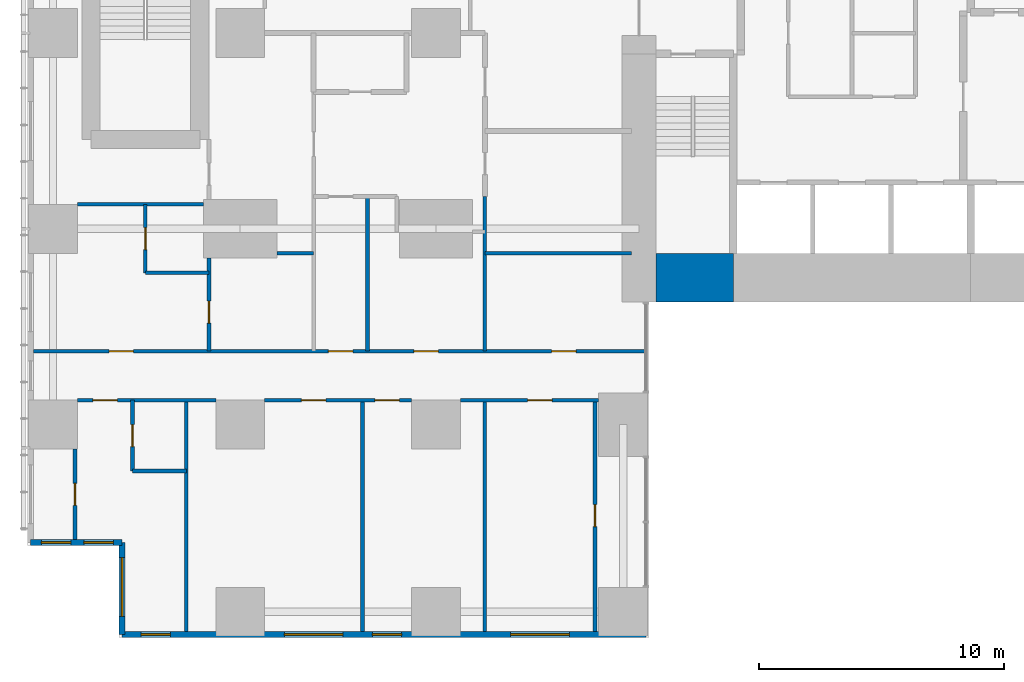
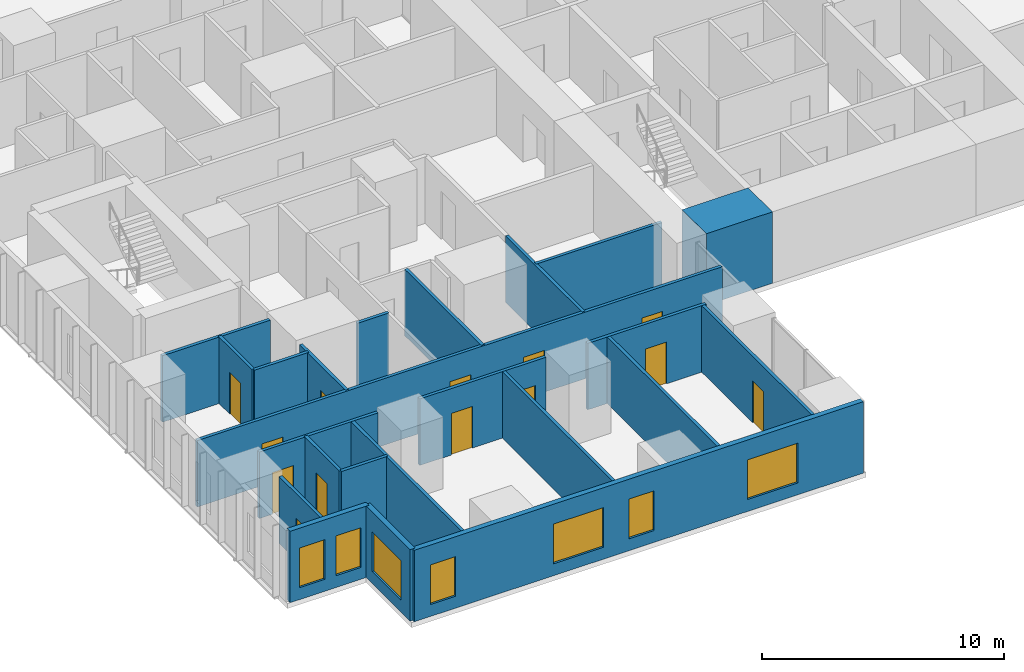
# One storey, part 12 of 20: 23 walls, 13 doors, 7 windows, 20 openings.
"""IFC4 building model written with IfcOpenShell, lengths in metres."""

from ifc_helpers import new_model, si_unit, direction, frame, frame_2d, origin, place, context, subcontext, project, spatial, rectangle, extrude, material, layer, layer_set, type_object, element, fill, save


model = new_model("IFC4")

# Units and contexts
model_context = context("Model", 3, precision=1e-05, world=origin(), true_north=direction((0.0, 1.0)))
body_context = subcontext(model_context, "Body", "Model", "MODEL_VIEW")
ifc_project = project(units=[si_unit("LENGTHUNIT", "METRE"), si_unit("AREAUNIT", "SQUARE_METRE"), si_unit("VOLUMEUNIT", "CUBIC_METRE"), si_unit("PLANEANGLEUNIT", "RADIAN"), si_unit("MASSUNIT", "GRAM", prefix="KILO")], contexts=[model_context])

# Site, building, storey
site_placement = place(None, origin())
site = spatial("IfcSite", under=ifc_project, at=site_placement, CompositionType="ELEMENT")
building_placement = place(site_placement, origin())
building = spatial("IfcBuilding", under=site, at=building_placement, Name="Cleftline Residences", CompositionType="ELEMENT")
storey_placement = place(building_placement, frame((0.0, 0.0, 72.800048828125)))
storey = spatial("IfcBuildingStorey", under=building, at=storey_placement, Name="L18", CompositionType="ELEMENT", Elevation=72.800048828125)

# Wall
ifc_material_1 = material(Name="Concrete B70", Category="concrete")
ifc_layer_1 = layer(ifc_material_1, 2.0)
ifc_layer_set_1 = layer_set([ifc_layer_1], Name="CORE WALL 2000")
wall_type_1 = type_object("IfcWallType", Name="CORE WALL 2000", PredefinedType="SHEAR", material=ifc_layer_set_1)
wall_1_placement = place(storey_placement, frame((25.0, 14.0, 0.0), z_axis=(0.0, 0.0, 1.0), x_axis=(1.0, 0.0, 0.0)))
element("IfcWall", 1, at=wall_1_placement, inside=storey, type_object=wall_type_1, Name="Core wall S1", PredefinedType="SHEAR", context=body_context, shape_type="SweptSolid", body=[
    extrude(rectangle(XDim=3.14990234375, YDim=2.0, at=frame_2d((1.574951171875, 0.0))), origin(), (0.0, 0.0, 1.0), 3.599853515625),
])

# Wall, openings, windows
ifc_material_2 = material(Name="Rendered reinforced concrete blockwork", Category="masonry")
ifc_layer_2 = layer(ifc_material_2, 0.25)
ifc_layer_set_2 = layer_set([ifc_layer_2], Name="EXTERNAL WALL 250")
wall_type_2 = type_object("IfcWallType", Name="EXTERNAL WALL 250", PredefinedType="SOLIDWALL", material=ifc_layer_set_2)
wall_2_placement = place(storey_placement, frame((-0.574951171875, 3.175048828125, 0.0), z_axis=(0.0, 0.0, 1.0), x_axis=(1.0, 0.0, 0.0)))
wall_2 = element("IfcWall", 2, at=wall_2_placement, inside=storey, type_object=wall_type_2, Name="External wall", PredefinedType="SOLIDWALL", context=body_context, shape_type="SweptSolid", body=[
    extrude(rectangle(XDim=3.75, YDim=0.25, at=frame_2d((1.875, 0.0))), origin(), (0.0, 0.0, 1.0), 3.599853515625),
])
opening_1_placement = place(wall_2_placement, frame((0.449951171875, 0.0, 0.60009765625)))
opening_1 = element("IfcOpeningElement", 3, at=opening_1_placement, cuts=wall_2, Name="Opening W8", PredefinedType="OPENING", context=body_context, shape_type="SweptSolid", body=[
    extrude(rectangle(XDim=1.199951171875, YDim=2.0, at=frame_2d((0.60009765625, 1.0))), frame((0.0, 0.135009765625, 0.0), z_axis=(0.0, -1.0, 0.0), x_axis=(1.0, 0.0, 0.0)), (0.0, 0.0, 1.0), 0.27001953125),
])
opening_2_placement = place(wall_2_placement, frame((2.1875, 0.0, 0.60009765625)))
opening_2 = element("IfcOpeningElement", 4, at=opening_2_placement, cuts=wall_2, Name="Opening W8", PredefinedType="OPENING", context=body_context, shape_type="SweptSolid", body=[
    extrude(rectangle(XDim=1.199951171875, YDim=2.0, at=frame_2d((0.60009765625, 1.0))), frame((0.0, 0.135009765625, 0.0), z_axis=(0.0, -1.0, 0.0), x_axis=(1.0, 0.0, 0.0)), (0.0, 0.0, 1.0), 0.27001953125),
])
ifc_material_3 = material(Name="Aluminium frame, clear double glazing", Category="aluminium")
window_type_1 = type_object("IfcWindowType", Name="WINDOW 1200X2000", PartitioningType="DOUBLE_PANEL_VERTICAL", PredefinedType="WINDOW", material=ifc_material_3)
window_1_placement = place(opening_1_placement, origin())
window_1 = element("IfcWindow", 5, at=window_1_placement, inside=storey, type_object=window_type_1, Name="Window", OverallHeight=2.0, OverallWidth=1.199951171875, PartitioningType="SINGLE_PANEL", PredefinedType="WINDOW", context=body_context, shape_type="SweptSolid", body=[
    extrude(rectangle(XDim=1.199951171875, YDim=2.0, at=frame_2d((0.60009765625, 1.0))), frame((0.0, 0.030029296875, 0.0), z_axis=(0.0, -1.0, 0.0), x_axis=(1.0, 0.0, 0.0)), (0.0, 0.0, 1.0), 0.06005859375),
])
fill(opening_1, window_1)
window_2_placement = place(opening_2_placement, origin())
window_2 = element("IfcWindow", 6, at=window_2_placement, inside=storey, type_object=window_type_1, Name="Window", OverallHeight=2.0, OverallWidth=1.199951171875, PartitioningType="SINGLE_PANEL", PredefinedType="WINDOW", context=body_context, shape_type="SweptSolid", body=[
    extrude(rectangle(XDim=1.199951171875, YDim=2.0, at=frame_2d((0.60009765625, 1.0))), frame((0.0, 0.030029296875, 0.0), z_axis=(0.0, -1.0, 0.0), x_axis=(1.0, 0.0, 0.0)), (0.0, 0.0, 1.0), 0.06005859375),
])
fill(opening_2, window_2)

# Wall, opening, window
wall_3_placement = place(storey_placement, frame((3.175048828125, 3.175048828125, 0.0), z_axis=(0.0, 0.0, 1.0), x_axis=(0.0, -1.0, 0.0)))
wall_3 = element("IfcWall", 7, at=wall_3_placement, inside=storey, type_object=wall_type_2, Name="External wall", PredefinedType="SOLIDWALL", context=body_context, shape_type="SweptSolid", body=[
    extrude(rectangle(XDim=3.75, YDim=0.25, at=frame_2d((1.875, 0.0))), origin(), (0.0, 0.0, 1.0), 3.599853515625),
])
opening_3_placement = place(wall_3_placement, frame((0.612548828125, 0.0, 0.60009765625)))
opening_3 = element("IfcOpeningElement", 8, at=opening_3_placement, cuts=wall_3, Name="Opening W6", PredefinedType="OPENING", context=body_context, shape_type="SweptSolid", body=[
    extrude(rectangle(XDim=2.39990234375, YDim=2.0, at=frame_2d((1.199951171875, 1.0))), frame((0.0, 0.135009765625, 0.0), z_axis=(0.0, -1.0, 0.0), x_axis=(1.0, 0.0, 0.0)), (0.0, 0.0, 1.0), 0.27001953125),
])
ifc_material_4 = material(Name="Aluminium frame, clear double glazing", Category="aluminium")
window_type_2 = type_object("IfcWindowType", Name="WINDOW 2400X2000", PartitioningType="DOUBLE_PANEL_VERTICAL", PredefinedType="WINDOW", material=ifc_material_4)
window_3_placement = place(opening_3_placement, origin())
window_3 = element("IfcWindow", 9, at=window_3_placement, inside=storey, type_object=window_type_2, Name="Window", OverallHeight=2.0, OverallWidth=2.39990234375, PartitioningType="SINGLE_PANEL", PredefinedType="WINDOW", context=body_context, shape_type="SweptSolid", body=[
    extrude(rectangle(XDim=2.39990234375, YDim=2.0, at=frame_2d((1.199951171875, 1.0))), frame((0.0, 0.030029296875, 0.0), z_axis=(0.0, -1.0, 0.0), x_axis=(1.0, 0.0, 0.0)), (0.0, 0.0, 1.0), 0.06005859375),
])
fill(opening_3, window_3)

# Wall, openings, windows
wall_4_placement = place(storey_placement, frame((3.175048828125, -0.574951171875, 0.0), z_axis=(0.0, 0.0, 1.0), x_axis=(1.0, 0.0, 0.0)))
wall_4 = element("IfcWall", 10, at=wall_4_placement, inside=storey, type_object=wall_type_2, Name="External wall", PredefinedType="SOLIDWALL", context=body_context, shape_type="SweptSolid", body=[
    extrude(rectangle(XDim=21.39990234375, YDim=0.25, at=frame_2d((10.699951171875, 0.0))), origin(), (0.0, 0.0, 1.0), 3.599853515625),
])
opening_4_placement = place(wall_4_placement, frame((0.77490234375, 0.0, 0.60009765625)))
opening_4 = element("IfcOpeningElement", 11, at=opening_4_placement, cuts=wall_4, Name="Opening W8", PredefinedType="OPENING", context=body_context, shape_type="SweptSolid", body=[
    extrude(rectangle(XDim=1.199951171875, YDim=2.0, at=frame_2d((0.60009765625, 1.0))), frame((0.0, 0.135009765625, 0.0), z_axis=(0.0, -1.0, 0.0), x_axis=(1.0, 0.0, 0.0)), (0.0, 0.0, 1.0), 0.27001953125),
])
opening_5_placement = place(wall_4_placement, frame((6.625, 0.0, 0.60009765625)))
opening_5 = element("IfcOpeningElement", 12, at=opening_5_placement, cuts=wall_4, Name="Opening W6", PredefinedType="OPENING", context=body_context, shape_type="SweptSolid", body=[
    extrude(rectangle(XDim=2.39990234375, YDim=2.0, at=frame_2d((1.199951171875, 1.0))), frame((0.0, 0.135009765625, 0.0), z_axis=(0.0, -1.0, 0.0), x_axis=(1.0, 0.0, 0.0)), (0.0, 0.0, 1.0), 0.27001953125),
])
opening_6_placement = place(wall_4_placement, frame((10.22509765625, 0.0, 0.60009765625)))
opening_6 = element("IfcOpeningElement", 13, at=opening_6_placement, cuts=wall_4, Name="Opening W8", PredefinedType="OPENING", context=body_context, shape_type="SweptSolid", body=[
    extrude(rectangle(XDim=1.199951171875, YDim=2.0, at=frame_2d((0.60009765625, 1.0))), frame((0.0, 0.135009765625, 0.0), z_axis=(0.0, -1.0, 0.0), x_axis=(1.0, 0.0, 0.0)), (0.0, 0.0, 1.0), 0.27001953125),
])
opening_7_placement = place(wall_4_placement, frame((15.875, 0.0, 0.60009765625)))
opening_7 = element("IfcOpeningElement", 14, at=opening_7_placement, cuts=wall_4, Name="Opening W6", PredefinedType="OPENING", context=body_context, shape_type="SweptSolid", body=[
    extrude(rectangle(XDim=2.39990234375, YDim=2.0, at=frame_2d((1.199951171875, 1.0))), frame((0.0, 0.135009765625, 0.0), z_axis=(0.0, -1.0, 0.0), x_axis=(1.0, 0.0, 0.0)), (0.0, 0.0, 1.0), 0.27001953125),
])
window_4_placement = place(opening_4_placement, origin())
window_4 = element("IfcWindow", 15, at=window_4_placement, inside=storey, type_object=window_type_1, Name="Window", OverallHeight=2.0, OverallWidth=1.199951171875, PartitioningType="SINGLE_PANEL", PredefinedType="WINDOW", context=body_context, shape_type="SweptSolid", body=[
    extrude(rectangle(XDim=1.199951171875, YDim=2.0, at=frame_2d((0.60009765625, 1.0))), frame((0.0, 0.030029296875, 0.0), z_axis=(0.0, -1.0, 0.0), x_axis=(1.0, 0.0, 0.0)), (0.0, 0.0, 1.0), 0.06005859375),
])
fill(opening_4, window_4)
window_5_placement = place(opening_6_placement, origin())
window_5 = element("IfcWindow", 16, at=window_5_placement, inside=storey, type_object=window_type_1, Name="Window", OverallHeight=2.0, OverallWidth=1.199951171875, PartitioningType="SINGLE_PANEL", PredefinedType="WINDOW", context=body_context, shape_type="SweptSolid", body=[
    extrude(rectangle(XDim=1.199951171875, YDim=2.0, at=frame_2d((0.60009765625, 1.0))), frame((0.0, 0.030029296875, 0.0), z_axis=(0.0, -1.0, 0.0), x_axis=(1.0, 0.0, 0.0)), (0.0, 0.0, 1.0), 0.06005859375),
])
fill(opening_6, window_5)
window_6_placement = place(opening_5_placement, origin())
window_6 = element("IfcWindow", 17, at=window_6_placement, inside=storey, type_object=window_type_2, Name="Window", OverallHeight=2.0, OverallWidth=2.39990234375, PartitioningType="SINGLE_PANEL", PredefinedType="WINDOW", context=body_context, shape_type="SweptSolid", body=[
    extrude(rectangle(XDim=2.39990234375, YDim=2.0, at=frame_2d((1.199951171875, 1.0))), frame((0.0, 0.030029296875, 0.0), z_axis=(0.0, -1.0, 0.0), x_axis=(1.0, 0.0, 0.0)), (0.0, 0.0, 1.0), 0.06005859375),
])
fill(opening_5, window_6)
window_7_placement = place(opening_7_placement, origin())
window_7 = element("IfcWindow", 18, at=window_7_placement, inside=storey, type_object=window_type_2, Name="Window", OverallHeight=2.0, OverallWidth=2.39990234375, PartitioningType="SINGLE_PANEL", PredefinedType="WINDOW", context=body_context, shape_type="SweptSolid", body=[
    extrude(rectangle(XDim=2.39990234375, YDim=2.0, at=frame_2d((1.199951171875, 1.0))), frame((0.0, 0.030029296875, 0.0), z_axis=(0.0, -1.0, 0.0), x_axis=(1.0, 0.0, 0.0)), (0.0, 0.0, 1.0), 0.06005859375),
])
fill(opening_7, window_7)

# Wall
ifc_material_5 = material(Name="Gypsum board on steel studs", Category="steel")
ifc_layer_3 = layer(ifc_material_5, 0.14990234375)
ifc_layer_set_3 = layer_set([ifc_layer_3], Name="PARTITION 150")
wall_type_3 = type_object("IfcWallType", Name="PARTITION 150", PredefinedType="PARTITIONING", material=ifc_layer_set_3)
wall_5_placement = place(storey_placement, frame((3.60009765625, 6.10009765625, 0.0), z_axis=(0.0, 0.0, 1.0), x_axis=(1.0, 0.0, 0.0)))
element("IfcWall", 19, at=wall_5_placement, inside=storey, type_object=wall_type_3, Name="Partition", PredefinedType="PARTITIONING", context=body_context, shape_type="SweptSolid", body=[
    extrude(rectangle(XDim=2.199951171875, YDim=0.14990234375, at=frame_2d((1.10009765625, 0.0))), origin(), (0.0, 0.0, 1.0), 3.349853515625),
])

# Wall, opening, door
wall_6_placement = place(storey_placement, frame((1.35009765625, 9.0, 0.0), z_axis=(0.0, 0.0, 1.0), x_axis=(1.0, 0.0, 0.0)))
wall_6 = element("IfcWall", 20, at=wall_6_placement, inside=storey, type_object=wall_type_3, Name="Partition", PredefinedType="PARTITIONING", context=body_context, shape_type="SweptSolid", body=[
    extrude(rectangle(XDim=5.64990234375, YDim=0.14990234375, at=frame_2d((2.824951171875, 0.0))), origin(), (0.0, 0.0, 1.0), 3.349853515625),
])
opening_8_placement = place(wall_6_placement, frame((0.625, 0.0, 0.0)))
opening_8 = element("IfcOpeningElement", 21, at=opening_8_placement, cuts=wall_6, Name="Opening D2", PredefinedType="OPENING", context=body_context, shape_type="SweptSolid", body=[
    extrude(rectangle(XDim=1.0, YDim=2.10009765625, at=frame_2d((0.5, 1.050048828125))), frame((0.0, 0.0849609375, 0.0), z_axis=(0.0, -1.0, 0.0), x_axis=(1.0, 0.0, 0.0)), (0.0, 0.0, 1.0), 0.169921875),
])
ifc_material_6 = material(Name="Timber veneer on solid core", Category="wood")
door_type_1 = type_object("IfcDoorType", Name="DOOR 1000X2100", OperationType="SINGLE_SWING_LEFT", PredefinedType="DOOR", material=ifc_material_6)
door_1_placement = place(opening_8_placement, origin())
door_1 = element("IfcDoor", 22, at=door_1_placement, inside=storey, type_object=door_type_1, Name="Door to bedroom 2", OperationType="SINGLE_SWING_RIGHT", OverallHeight=2.10009765625, OverallWidth=1.0, PredefinedType="DOOR", context=body_context, shape_type="SweptSolid", body=[
    extrude(rectangle(XDim=1.0, YDim=2.10009765625, at=frame_2d((0.5, 1.050048828125))), frame((0.0, 0.02490234375, 0.0), z_axis=(0.0, -1.0, 0.0), x_axis=(1.0, 0.0, 0.0)), (0.0, 0.0, 1.0), 0.050048828125),
])
fill(opening_8, door_1)

# Wall, openings, doors
wall_7_placement = place(storey_placement, frame((9.0, 9.0, 0.0), z_axis=(0.0, 0.0, 1.0), x_axis=(1.0, 0.0, 0.0)))
wall_7 = element("IfcWall", 23, at=wall_7_placement, inside=storey, type_object=wall_type_3, Name="Partition", PredefinedType="PARTITIONING", context=body_context, shape_type="SweptSolid", body=[
    extrude(rectangle(XDim=6.0, YDim=0.14990234375, at=frame_2d((3.0, 0.0))), origin(), (0.0, 0.0, 1.0), 3.349853515625),
])
opening_9_placement = place(wall_7_placement, frame((1.5, 0.0, 0.0)))
opening_9 = element("IfcOpeningElement", 24, at=opening_9_placement, cuts=wall_7, Name="Opening D2", PredefinedType="OPENING", context=body_context, shape_type="SweptSolid", body=[
    extrude(rectangle(XDim=1.0, YDim=2.10009765625, at=frame_2d((0.5, 1.050048828125))), frame((0.0, 0.0849609375, 0.0), z_axis=(0.0, -1.0, 0.0), x_axis=(1.0, 0.0, 0.0)), (0.0, 0.0, 1.0), 0.169921875),
])
opening_10_placement = place(wall_7_placement, frame((4.5, 0.0, 0.0)))
opening_10 = element("IfcOpeningElement", 25, at=opening_10_placement, cuts=wall_7, Name="Opening D2", PredefinedType="OPENING", context=body_context, shape_type="SweptSolid", body=[
    extrude(rectangle(XDim=1.0, YDim=2.10009765625, at=frame_2d((0.5, 1.050048828125))), frame((0.0, 0.0849609375, 0.0), z_axis=(0.0, -1.0, 0.0), x_axis=(1.0, 0.0, 0.0)), (0.0, 0.0, 1.0), 0.169921875),
])
door_2_placement = place(opening_9_placement, origin())
door_2 = element("IfcDoor", 26, at=door_2_placement, inside=storey, type_object=door_type_1, Name="Door to living room", OperationType="SINGLE_SWING_RIGHT", OverallHeight=2.10009765625, OverallWidth=1.0, PredefinedType="DOOR", context=body_context, shape_type="SweptSolid", body=[
    extrude(rectangle(XDim=1.0, YDim=2.10009765625, at=frame_2d((0.5, 1.050048828125))), frame((0.0, 0.02490234375, 0.0), z_axis=(0.0, -1.0, 0.0), x_axis=(1.0, 0.0, 0.0)), (0.0, 0.0, 1.0), 0.050048828125),
])
fill(opening_9, door_2)
door_3_placement = place(opening_10_placement, origin())
door_3 = element("IfcDoor", 27, at=door_3_placement, inside=storey, type_object=door_type_1, Name="Door to dining room", OperationType="SINGLE_SWING_LEFT", OverallHeight=2.10009765625, OverallWidth=1.0, PredefinedType="DOOR", context=body_context, shape_type="SweptSolid", body=[
    extrude(rectangle(XDim=1.0, YDim=2.10009765625, at=frame_2d((0.5, 1.050048828125))), frame((0.0, 0.02490234375, 0.0), z_axis=(0.0, -1.0, 0.0), x_axis=(1.0, 0.0, 0.0)), (0.0, 0.0, 1.0), 0.050048828125),
])
fill(opening_10, door_3)

# Wall, opening, door
wall_8_placement = place(storey_placement, frame((17.0, 9.0, 0.0), z_axis=(0.0, 0.0, 1.0), x_axis=(1.0, 0.0, 0.0)))
wall_8 = element("IfcWall", 28, at=wall_8_placement, inside=storey, type_object=wall_type_3, Name="Partition", PredefinedType="PARTITIONING", context=body_context, shape_type="SweptSolid", body=[
    extrude(rectangle(XDim=5.64990234375, YDim=0.14990234375, at=frame_2d((2.824951171875, 0.0))), origin(), (0.0, 0.0, 1.0), 3.349853515625),
])
opening_11_placement = place(wall_8_placement, frame((2.75, 0.0, 0.0)))
opening_11 = element("IfcOpeningElement", 29, at=opening_11_placement, cuts=wall_8, Name="Opening D2", PredefinedType="OPENING", context=body_context, shape_type="SweptSolid", body=[
    extrude(rectangle(XDim=1.0, YDim=2.10009765625, at=frame_2d((0.5, 1.050048828125))), frame((0.0, 0.0849609375, 0.0), z_axis=(0.0, -1.0, 0.0), x_axis=(1.0, 0.0, 0.0)), (0.0, 0.0, 1.0), 0.169921875),
])
door_4_placement = place(opening_11_placement, origin())
door_4 = element("IfcDoor", 30, at=door_4_placement, inside=storey, type_object=door_type_1, Name="Door to show kitchen", OperationType="SINGLE_SWING_LEFT", OverallHeight=2.10009765625, OverallWidth=1.0, PredefinedType="DOOR", context=body_context, shape_type="SweptSolid", body=[
    extrude(rectangle(XDim=1.0, YDim=2.10009765625, at=frame_2d((0.5, 1.050048828125))), frame((0.0, 0.02490234375, 0.0), z_axis=(0.0, -1.0, 0.0), x_axis=(1.0, 0.0, 0.0)), (0.0, 0.0, 1.0), 0.050048828125),
])
fill(opening_11, door_4)

# Wall, openings, doors
wall_9_placement = place(storey_placement, frame((-0.449951171875, 11.0, 0.0), z_axis=(0.0, 0.0, 1.0), x_axis=(1.0, 0.0, 0.0)))
wall_9 = element("IfcWall", 31, at=wall_9_placement, inside=storey, type_object=wall_type_3, Name="Partition", PredefinedType="PARTITIONING", context=body_context, shape_type="SweptSolid", body=[
    extrude(rectangle(XDim=25.010986328125, YDim=0.14990234375, at=frame_2d((12.50537109375, 0.0))), origin(), (0.0, 0.0, 1.0), 3.349853515625),
])
opening_12_placement = place(wall_9_placement, frame((12.050048828125, 0.0, 0.0)))
opening_12 = element("IfcOpeningElement", 32, at=opening_12_placement, cuts=wall_9, Name="Opening D2F30", PredefinedType="OPENING", context=body_context, shape_type="SweptSolid", body=[
    extrude(rectangle(XDim=1.0, YDim=2.10009765625, at=frame_2d((0.5, 1.050048828125))), frame((0.0, 0.0849609375, 0.0), z_axis=(0.0, -1.0, 0.0), x_axis=(1.0, 0.0, 0.0)), (0.0, 0.0, 1.0), 0.169921875),
])
opening_13_placement = place(wall_9_placement, frame((3.08740234375, 0.0, 0.0)))
opening_13 = element("IfcOpeningElement", 33, at=opening_13_placement, cuts=wall_9, Name="Opening D2F30", PredefinedType="OPENING", context=body_context, shape_type="SweptSolid", body=[
    extrude(rectangle(XDim=1.0, YDim=2.10009765625, at=frame_2d((0.5, 1.050048828125))), frame((0.0, 0.0849609375, 0.0), z_axis=(0.0, -1.0, 0.0), x_axis=(1.0, 0.0, 0.0)), (0.0, 0.0, 1.0), 0.169921875),
])
opening_14_placement = place(wall_9_placement, frame((15.550048828125, 0.0, 0.0)))
opening_14 = element("IfcOpeningElement", 34, at=opening_14_placement, cuts=wall_9, Name="Opening D2F30", PredefinedType="OPENING", context=body_context, shape_type="SweptSolid", body=[
    extrude(rectangle(XDim=1.0, YDim=2.10009765625, at=frame_2d((0.5, 1.050048828125))), frame((0.0, 0.0849609375, 0.0), z_axis=(0.0, -1.0, 0.0), x_axis=(1.0, 0.0, 0.0)), (0.0, 0.0, 1.0), 0.169921875),
])
opening_15_placement = place(wall_9_placement, frame((21.175048828125, 0.0, 0.0)))
opening_15 = element("IfcOpeningElement", 35, at=opening_15_placement, cuts=wall_9, Name="Opening D2F30", PredefinedType="OPENING", context=body_context, shape_type="SweptSolid", body=[
    extrude(rectangle(XDim=1.0, YDim=2.10009765625, at=frame_2d((0.5, 1.050048828125))), frame((0.0, 0.0849609375, 0.0), z_axis=(0.0, -1.0, 0.0), x_axis=(1.0, 0.0, 0.0)), (0.0, 0.0, 1.0), 0.169921875),
])
ifc_material_7 = material(Name="Timber veneer on solid core", Category="wood")
door_type_2 = type_object("IfcDoorType", Name="DOOR 1000X2100 EI 30", OperationType="SINGLE_SWING_LEFT", PredefinedType="DOOR", material=ifc_material_7)
door_5_placement = place(opening_12_placement, origin())
door_5 = element("IfcDoor", 36, at=door_5_placement, inside=storey, type_object=door_type_2, Name="Door to residence hall (gallery)", OperationType="SINGLE_SWING_LEFT", OverallHeight=2.10009765625, OverallWidth=1.0, PredefinedType="DOOR", context=body_context, shape_type="SweptSolid", body=[
    extrude(rectangle(XDim=1.0, YDim=2.10009765625, at=frame_2d((0.5, 1.050048828125))), frame((0.0, 0.02490234375, 0.0), z_axis=(0.0, -1.0, 0.0), x_axis=(1.0, 0.0, 0.0)), (0.0, 0.0, 1.0), 0.050048828125),
])
fill(opening_12, door_5)
door_6_placement = place(opening_13_placement, origin())
door_6 = element("IfcDoor", 37, at=door_6_placement, inside=storey, type_object=door_type_2, Name="Door to master bedroom", OperationType="SINGLE_SWING_RIGHT", OverallHeight=2.10009765625, OverallWidth=1.0, PredefinedType="DOOR", context=body_context, shape_type="SweptSolid", body=[
    extrude(rectangle(XDim=1.0, YDim=2.10009765625, at=frame_2d((0.5, 1.050048828125))), frame((0.0, 0.02490234375, 0.0), z_axis=(0.0, -1.0, 0.0), x_axis=(1.0, 0.0, 0.0)), (0.0, 0.0, 1.0), 0.050048828125),
])
fill(opening_13, door_6)
door_7_placement = place(opening_14_placement, origin())
door_7 = element("IfcDoor", 38, at=door_7_placement, inside=storey, type_object=door_type_2, Name="Door to study", OperationType="SINGLE_SWING_LEFT", OverallHeight=2.10009765625, OverallWidth=1.0, PredefinedType="DOOR", context=body_context, shape_type="SweptSolid", body=[
    extrude(rectangle(XDim=1.0, YDim=2.10009765625, at=frame_2d((0.5, 1.050048828125))), frame((0.0, 0.02490234375, 0.0), z_axis=(0.0, -1.0, 0.0), x_axis=(1.0, 0.0, 0.0)), (0.0, 0.0, 1.0), 0.050048828125),
])
fill(opening_14, door_7)
door_8_placement = place(opening_15_placement, origin())
door_8 = element("IfcDoor", 39, at=door_8_placement, inside=storey, type_object=door_type_2, Name="Door to wet kitchen", OperationType="SINGLE_SWING_LEFT", OverallHeight=2.10009765625, OverallWidth=1.0, PredefinedType="DOOR", context=body_context, shape_type="SweptSolid", body=[
    extrude(rectangle(XDim=1.0, YDim=2.10009765625, at=frame_2d((0.5, 1.050048828125))), frame((0.0, 0.02490234375, 0.0), z_axis=(0.0, -1.0, 0.0), x_axis=(1.0, 0.0, 0.0)), (0.0, 0.0, 1.0), 0.050048828125),
])
fill(opening_15, door_8)

# Walls
wall_10_placement = place(storey_placement, frame((4.125, 14.199951171875, 0.0), z_axis=(0.0, 0.0, 1.0), x_axis=(1.0, 0.0, 0.0)))
element("IfcWall", 40, at=wall_10_placement, inside=storey, type_object=wall_type_3, Name="Partition", PredefinedType="PARTITIONING", context=body_context, shape_type="SweptSolid", body=[
    extrude(rectangle(XDim=2.60009765625, YDim=0.14990234375, at=frame_2d((1.300048828125, 0.0))), origin(), (0.0, 0.0, 1.0), 3.349853515625),
])
wall_11_placement = place(storey_placement, frame((9.5, 15.0, 0.0), z_axis=(0.0, 0.0, 1.0), x_axis=(1.0, 0.0, 0.0)))
element("IfcWall", 41, at=wall_11_placement, inside=storey, type_object=wall_type_3, Name="Partition", PredefinedType="PARTITIONING", context=body_context, shape_type="SweptSolid", body=[
    extrude(rectangle(XDim=1.5, YDim=0.14990234375, at=frame_2d((0.75, 0.0))), origin(), (0.0, 0.0, 1.0), 3.349853515625),
])
wall_12_placement = place(storey_placement, frame((18.0, 15.0, 0.0), z_axis=(0.0, 0.0, 1.0), x_axis=(1.0, 0.0, 0.0)))
element("IfcWall", 42, at=wall_12_placement, inside=storey, type_object=wall_type_3, Name="Partition", PredefinedType="PARTITIONING", context=body_context, shape_type="SweptSolid", body=[
    extrude(rectangle(XDim=6.0, YDim=0.14990234375, at=frame_2d((3.0, 0.0))), origin(), (0.0, 0.0, 1.0), 3.349853515625),
])
wall_13_placement = place(storey_placement, frame((1.35009765625, 17.0, 0.0), z_axis=(0.0, 0.0, 1.0), x_axis=(1.0, 0.0, 0.0)))
element("IfcWall", 43, at=wall_13_placement, inside=storey, type_object=wall_type_3, Name="Partition", PredefinedType="PARTITIONING", context=body_context, shape_type="SweptSolid", body=[
    extrude(rectangle(XDim=5.14990234375, YDim=0.14990234375, at=frame_2d((2.574951171875, 0.0))), origin(), (0.0, 0.0, 1.0), 3.349853515625),
])

# Wall, opening, door
wall_14_placement = place(storey_placement, frame((1.25, 3.300048828125, 0.0), z_axis=(0.0, 0.0, 1.0), x_axis=(0.0, 1.0, 0.0)))
wall_14 = element("IfcWall", 44, at=wall_14_placement, inside=storey, type_object=wall_type_3, Name="Partition", PredefinedType="PARTITIONING", context=body_context, shape_type="SweptSolid", body=[
    extrude(rectangle(XDim=3.699951171875, YDim=0.14990234375, at=frame_2d((1.85009765625, 0.0))), origin(), (0.0, 0.0, 1.0), 3.349853515625),
])
opening_16_placement = place(wall_14_placement, frame((1.39990234375, 0.0, 0.0)))
opening_16 = element("IfcOpeningElement", 45, at=opening_16_placement, cuts=wall_14, Name="Opening D1", PredefinedType="OPENING", context=body_context, shape_type="SweptSolid", body=[
    extrude(rectangle(XDim=0.89990234375, YDim=2.10009765625, at=frame_2d((0.449951171875, 1.050048828125))), frame((0.0, 0.0849609375, 0.0), z_axis=(0.0, -1.0, 0.0), x_axis=(1.0, 0.0, 0.0)), (0.0, 0.0, 1.0), 0.169921875),
])
ifc_material_8 = material(Name="Timber veneer on solid core", Category="wood")
door_type_3 = type_object("IfcDoorType", Name="DOOR 900X2100", OperationType="SINGLE_SWING_LEFT", PredefinedType="DOOR", material=ifc_material_8)
door_9_placement = place(opening_16_placement, origin())
door_9 = element("IfcDoor", 46, at=door_9_placement, inside=storey, type_object=door_type_3, Name="Door to walk-in wardrobe", OperationType="SINGLE_SWING_LEFT", OverallHeight=2.10009765625, OverallWidth=0.89990234375, PredefinedType="DOOR", context=body_context, shape_type="SweptSolid", body=[
    extrude(rectangle(XDim=0.89990234375, YDim=2.10009765625, at=frame_2d((0.449951171875, 1.050048828125))), frame((0.0, 0.02490234375, 0.0), z_axis=(0.0, -1.0, 0.0), x_axis=(1.0, 0.0, 0.0)), (0.0, 0.0, 1.0), 0.050048828125),
])
fill(opening_16, door_9)

wall_15_placement = place(storey_placement, frame((3.60009765625, 6.10009765625, 0.0), z_axis=(0.0, 0.0, 1.0), x_axis=(0.0, 1.0, 0.0)))
wall_15 = element("IfcWall", 47, at=wall_15_placement, inside=storey, type_object=wall_type_3, Name="Partition", PredefinedType="PARTITIONING", context=body_context, shape_type="SweptSolid", body=[
    extrude(rectangle(XDim=2.89990234375, YDim=0.14990234375, at=frame_2d((1.449951171875, 0.0))), origin(), (0.0, 0.0, 1.0), 3.349853515625),
])
opening_17_placement = place(wall_15_placement, frame((1.0, 0.0, 0.0)))
opening_17 = element("IfcOpeningElement", 48, at=opening_17_placement, cuts=wall_15, Name="Opening D1", PredefinedType="OPENING", context=body_context, shape_type="SweptSolid", body=[
    extrude(rectangle(XDim=0.89990234375, YDim=2.10009765625, at=frame_2d((0.449951171875, 1.050048828125))), frame((0.0, 0.0849609375, 0.0), z_axis=(0.0, -1.0, 0.0), x_axis=(1.0, 0.0, 0.0)), (0.0, 0.0, 1.0), 0.169921875),
])
door_10_placement = place(opening_17_placement, origin())
door_10 = element("IfcDoor", 49, at=door_10_placement, inside=storey, type_object=door_type_3, Name="Door to en-suite bathroom 2", OperationType="SINGLE_SWING_LEFT", OverallHeight=2.10009765625, OverallWidth=0.89990234375, PredefinedType="DOOR", context=body_context, shape_type="SweptSolid", body=[
    extrude(rectangle(XDim=0.89990234375, YDim=2.10009765625, at=frame_2d((0.449951171875, 1.050048828125))), frame((0.0, 0.02490234375, 0.0), z_axis=(0.0, -1.0, 0.0), x_axis=(1.0, 0.0, 0.0)), (0.0, 0.0, 1.0), 0.050048828125),
])
fill(opening_17, door_10)

wall_16_placement = place(storey_placement, frame((4.125, 14.199951171875, 0.0), z_axis=(0.0, 0.0, 1.0), x_axis=(0.0, 1.0, 0.0)))
wall_16 = element("IfcWall", 50, at=wall_16_placement, inside=storey, type_object=wall_type_3, Name="Partition", PredefinedType="PARTITIONING", context=body_context, shape_type="SweptSolid", body=[
    extrude(rectangle(XDim=2.800048828125, YDim=0.14990234375, at=frame_2d((1.39990234375, 0.0))), origin(), (0.0, 0.0, 1.0), 3.349853515625),
])
opening_18_placement = place(wall_16_placement, frame((0.949951171875, 0.0, 0.0)))
opening_18 = element("IfcOpeningElement", 51, at=opening_18_placement, cuts=wall_16, Name="Opening D1", PredefinedType="OPENING", context=body_context, shape_type="SweptSolid", body=[
    extrude(rectangle(XDim=0.89990234375, YDim=2.10009765625, at=frame_2d((0.449951171875, 1.050048828125))), frame((0.0, 0.0849609375, 0.0), z_axis=(0.0, -1.0, 0.0), x_axis=(1.0, 0.0, 0.0)), (0.0, 0.0, 1.0), 0.169921875),
])
door_11_placement = place(opening_18_placement, origin())
door_11 = element("IfcDoor", 52, at=door_11_placement, inside=storey, type_object=door_type_3, Name="Door to master bathroom", OperationType="SINGLE_SWING_LEFT", OverallHeight=2.10009765625, OverallWidth=0.89990234375, PredefinedType="DOOR", context=body_context, shape_type="SweptSolid", body=[
    extrude(rectangle(XDim=0.89990234375, YDim=2.10009765625, at=frame_2d((0.449951171875, 1.050048828125))), frame((0.0, 0.02490234375, 0.0), z_axis=(0.0, -1.0, 0.0), x_axis=(1.0, 0.0, 0.0)), (0.0, 0.0, 1.0), 0.050048828125),
])
fill(opening_18, door_11)

# Wall
wall_17_placement = place(storey_placement, frame((5.800048828125, -0.449951171875, 0.0), z_axis=(0.0, 0.0, 1.0), x_axis=(0.0, 1.0, 0.0)))
element("IfcWall", 53, at=wall_17_placement, inside=storey, type_object=wall_type_3, Name="Partition", PredefinedType="PARTITIONING", context=body_context, shape_type="SweptSolid", body=[
    extrude(rectangle(XDim=9.449951171875, YDim=0.14990234375, at=frame_2d((4.72509765625, 0.0))), origin(), (0.0, 0.0, 1.0), 3.349853515625),
])

# Wall, opening, door
wall_18_placement = place(storey_placement, frame((6.72509765625, 11.0, 0.0), z_axis=(0.0, 0.0, 1.0), x_axis=(0.0, 1.0, 0.0)))
wall_18 = element("IfcWall", 54, at=wall_18_placement, inside=storey, type_object=wall_type_3, Name="Partition", PredefinedType="PARTITIONING", context=body_context, shape_type="SweptSolid", body=[
    extrude(rectangle(XDim=3.800048828125, YDim=0.14990234375, at=frame_2d((1.89990234375, 0.0))), origin(), (0.0, 0.0, 1.0), 3.349853515625),
])
opening_19_placement = place(wall_18_placement, frame((1.14990234375, 0.0, 0.0)))
opening_19 = element("IfcOpeningElement", 55, at=opening_19_placement, cuts=wall_18, Name="Opening D1", PredefinedType="OPENING", context=body_context, shape_type="SweptSolid", body=[
    extrude(rectangle(XDim=0.89990234375, YDim=2.10009765625, at=frame_2d((0.449951171875, 1.050048828125))), frame((0.0, 0.0849609375, 0.0), z_axis=(0.0, -1.0, 0.0), x_axis=(1.0, 0.0, 0.0)), (0.0, 0.0, 1.0), 0.169921875),
])
door_12_placement = place(opening_19_placement, origin())
door_12 = element("IfcDoor", 56, at=door_12_placement, inside=storey, type_object=door_type_3, Name="Door to master dressing room", OperationType="SINGLE_SWING_RIGHT", OverallHeight=2.10009765625, OverallWidth=0.89990234375, PredefinedType="DOOR", context=body_context, shape_type="SweptSolid", body=[
    extrude(rectangle(XDim=0.89990234375, YDim=2.10009765625, at=frame_2d((0.449951171875, 1.050048828125))), frame((0.0, 0.02490234375, 0.0), z_axis=(0.0, -1.0, 0.0), x_axis=(1.0, 0.0, 0.0)), (0.0, 0.0, 1.0), 0.050048828125),
])
fill(opening_19, door_12)

# Walls
wall_19_placement = place(storey_placement, frame((13.0, -0.449951171875, 0.0), z_axis=(0.0, 0.0, 1.0), x_axis=(0.0, 1.0, 0.0)))
element("IfcWall", 57, at=wall_19_placement, inside=storey, type_object=wall_type_3, Name="Partition", PredefinedType="PARTITIONING", context=body_context, shape_type="SweptSolid", body=[
    extrude(rectangle(XDim=9.449951171875, YDim=0.14990234375, at=frame_2d((4.72509765625, 0.0))), origin(), (0.0, 0.0, 1.0), 3.349853515625),
])
wall_20_placement = place(storey_placement, frame((13.199951171875, 11.0, 0.0), z_axis=(0.0, 0.0, 1.0), x_axis=(0.0, 1.0, 0.0)))
element("IfcWall", 58, at=wall_20_placement, inside=storey, type_object=wall_type_3, Name="Partition", PredefinedType="PARTITIONING", context=body_context, shape_type="SweptSolid", body=[
    extrude(rectangle(XDim=6.324951171875, YDim=0.14990234375, at=frame_2d((3.16259765625, 0.0))), origin(), (0.0, 0.0, 1.0), 3.349853515625),
])
wall_21_placement = place(storey_placement, frame((18.0, -0.449951171875, 0.0), z_axis=(0.0, 0.0, 1.0), x_axis=(0.0, 1.0, 0.0)))
element("IfcWall", 59, at=wall_21_placement, inside=storey, type_object=wall_type_3, Name="Partition", PredefinedType="PARTITIONING", context=body_context, shape_type="SweptSolid", body=[
    extrude(rectangle(XDim=9.449951171875, YDim=0.14990234375, at=frame_2d((4.72509765625, 0.0))), origin(), (0.0, 0.0, 1.0), 3.349853515625),
])
wall_22_placement = place(storey_placement, frame((18.0, 11.0, 0.0), z_axis=(0.0, 0.0, 1.0), x_axis=(0.0, 1.0, 0.0)))
element("IfcWall", 60, at=wall_22_placement, inside=storey, type_object=wall_type_3, Name="Partition", PredefinedType="PARTITIONING", context=body_context, shape_type="SweptSolid", body=[
    extrude(rectangle(XDim=6.324951171875, YDim=0.14990234375, at=frame_2d((3.16259765625, 0.0))), origin(), (0.0, 0.0, 1.0), 3.349853515625),
])

# Wall, opening, door
wall_23_placement = place(storey_placement, frame((22.5, -0.449951171875, 0.0), z_axis=(0.0, 0.0, 1.0), x_axis=(0.0, 1.0, 0.0)))
wall_23 = element("IfcWall", 61, at=wall_23_placement, inside=storey, type_object=wall_type_3, Name="Partition", PredefinedType="PARTITIONING", context=body_context, shape_type="SweptSolid", body=[
    extrude(rectangle(XDim=9.449951171875, YDim=0.14990234375, at=frame_2d((4.72509765625, 0.0))), origin(), (0.0, 0.0, 1.0), 3.349853515625),
])
opening_20_placement = place(wall_23_placement, frame((4.27490234375, 0.0, 0.0)))
opening_20 = element("IfcOpeningElement", 62, at=opening_20_placement, cuts=wall_23, Name="Opening D1", PredefinedType="OPENING", context=body_context, shape_type="SweptSolid", body=[
    extrude(rectangle(XDim=0.89990234375, YDim=2.10009765625, at=frame_2d((0.449951171875, 1.050048828125))), frame((0.0, 0.0849609375, 0.0), z_axis=(0.0, -1.0, 0.0), x_axis=(1.0, 0.0, 0.0)), (0.0, 0.0, 1.0), 0.169921875),
])
door_13_placement = place(opening_20_placement, origin())
door_13 = element("IfcDoor", 63, at=door_13_placement, inside=storey, type_object=door_type_3, Name="Door to kitchen store", OperationType="SINGLE_SWING_LEFT", OverallHeight=2.10009765625, OverallWidth=0.89990234375, PredefinedType="DOOR", context=body_context, shape_type="SweptSolid", body=[
    extrude(rectangle(XDim=0.89990234375, YDim=2.10009765625, at=frame_2d((0.449951171875, 1.050048828125))), frame((0.0, 0.02490234375, 0.0), z_axis=(0.0, -1.0, 0.0), x_axis=(1.0, 0.0, 0.0)), (0.0, 0.0, 1.0), 0.050048828125),
])
fill(opening_20, door_13)

save(model, "model.ifc")
